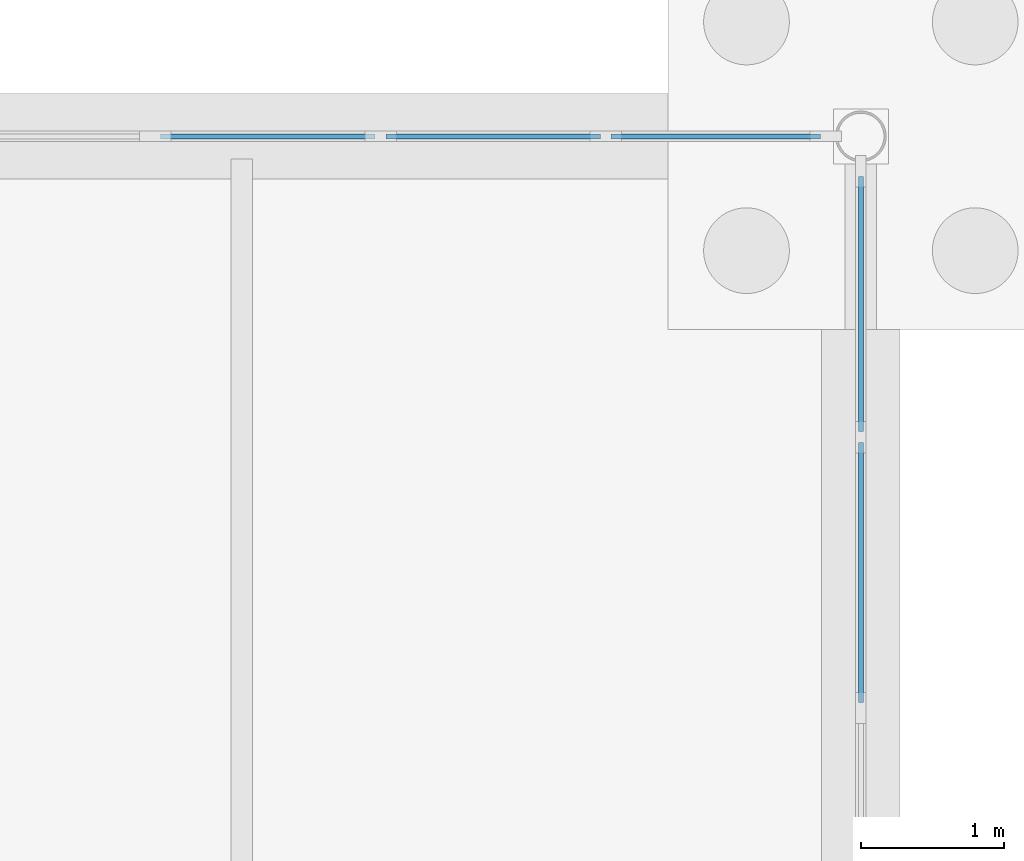
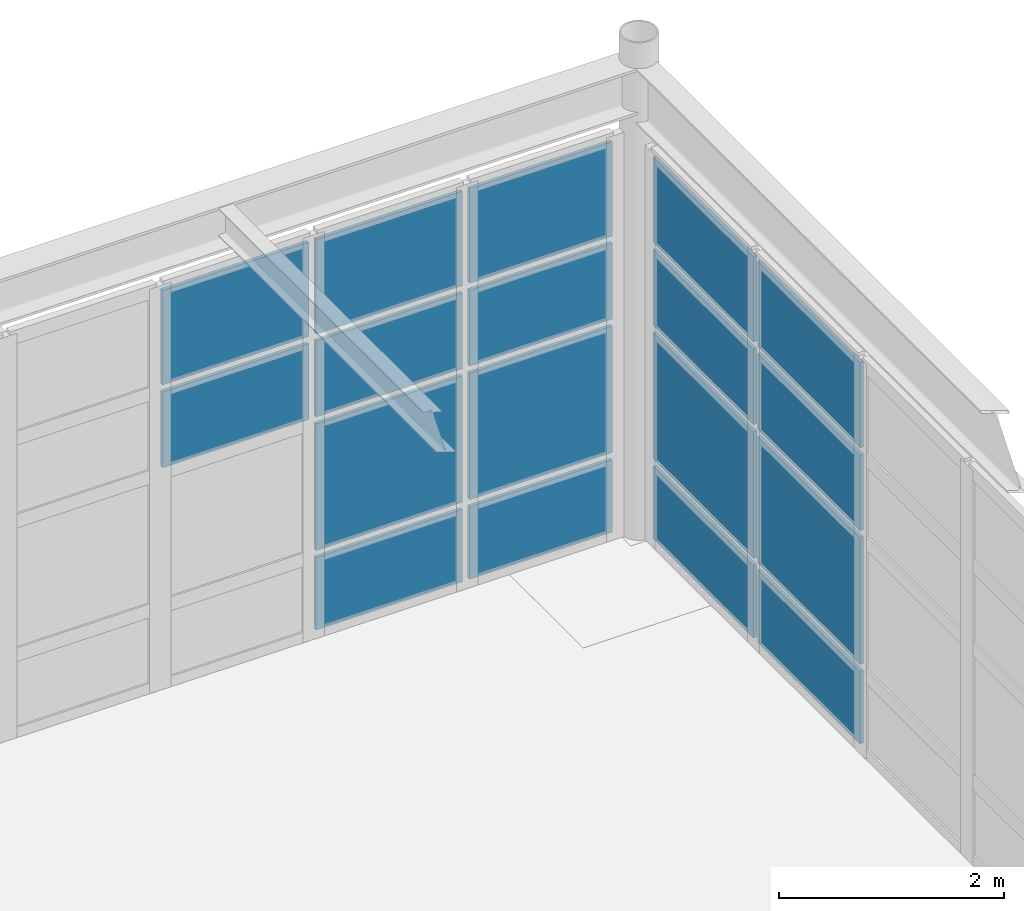
# One storey, part 99 of 145: 18 plates, 2 elements without a shape of their own.
"""IFC4 building model written with IfcOpenShell, lengths in metres."""

from ifc_helpers import new_model, si_unit, direction, frame, origin, origin_2d, place, context, subcontext, project, spatial, rectangle, extrude, material, layer, layer_set, type_object, element, aggregate, save


model = new_model("IFC4")

# Units and contexts
model_context = context("Model", 3, precision=1e-05, world=origin(), true_north=direction((0.0, 1.0)))
body_context = subcontext(model_context, "Body", "Model", "MODEL_VIEW")
ifc_project = project(units=[si_unit("LENGTHUNIT", "METRE"), si_unit("AREAUNIT", "SQUARE_METRE"), si_unit("VOLUMEUNIT", "CUBIC_METRE"), si_unit("PLANEANGLEUNIT", "RADIAN"), si_unit("MASSUNIT", "GRAM", prefix="KILO"), si_unit("THERMODYNAMICTEMPERATUREUNIT", "KELVIN"), si_unit("POWERUNIT", "WATT")], contexts=[model_context])

# Site, building, storey
site_placement = place(None, origin())
site = spatial("IfcSite", under=ifc_project, at=site_placement, CompositionType="ELEMENT")
building_placement = place(site_placement, origin())
building = spatial("IfcBuilding", under=site, at=building_placement, Name="Korenveer Ferry Terminal", CompositionType="ELEMENT")
storey_placement = place(building_placement, origin())
storey = spatial("IfcBuildingStorey", under=building, at=storey_placement, Name="L00", CompositionType="ELEMENT", Elevation=0.0)

# Curtain wall, plates
ifc_material_1 = material(Name="Unitised bronze-and-glass curtain wall", Category="glass")
ifc_layer_1 = layer(ifc_material_1, 0.219970703125)
ifc_layer_set_1 = layer_set([ifc_layer_1], Name="Unitised bronze-and-glass curtain wall")
curtain_wall_type_1 = type_object("IfcCurtainWallType", Name="ENV-CW-17", PredefinedType="USERDEFINED", material=ifc_layer_set_1)
curtain_wall_1_placement = place(storey_placement, frame((123.179931640625, 116.0, 0.0)))
curtain_wall_1 = element("IfcCurtainWall", 1, at=curtain_wall_1_placement, inside=storey, type_object=curtain_wall_type_1, Name="Lancet curtain wall CWX-L00-X123-136-Y116-116", ObjectType="UNITISED CURTAIN WALL", PredefinedType="USERDEFINED")
ifc_material_2 = material(Name="Acoustic laminated marine glazing", Category="glass")
ifc_layer_2 = layer(ifc_material_2, 0.035888671875)
ifc_layer_set_2 = layer_set([ifc_layer_2], Name="Acoustic laminated marine glazing")
plate_type = type_object("IfcPlateType", Name="ENV-CWP-GLZ36", PredefinedType="CURTAIN_PANEL", material=ifc_layer_set_2)
plate_1_placement = place(storey_placement, frame((131.850830078125, 116.0, 2.3876953125), z_axis=(0.0, 0.0, 1.0), x_axis=(1.0, 0.0, 0.0)))
plate_1 = element("IfcPlate", 2, at=plate_1_placement, type_object=plate_type, Name="CW-17 panel 6.3", PredefinedType="CURTAIN_PANEL", context=body_context, shape_type="SweptSolid", body=[
    extrude(rectangle(XDim=1.50146484375, YDim=0.035888671875, at=origin_2d()), origin(), (0.0, 0.0, 1.0), 0.824951171875),
])
plate_2_placement = place(storey_placement, frame((131.850830078125, 116.0, 3.28759765625), z_axis=(0.0, 0.0, 1.0), x_axis=(1.0, 0.0, 0.0)))
plate_2 = element("IfcPlate", 3, at=plate_2_placement, type_object=plate_type, Name="CW-17 panel 6.4", PredefinedType="CURTAIN_PANEL", context=body_context, shape_type="SweptSolid", body=[
    extrude(rectangle(XDim=1.50146484375, YDim=0.035888671875, at=origin_2d()), origin(), (0.0, 0.0, 1.0), 1.027587890625),
])
plate_3_placement = place(storey_placement, frame((133.427490234375, 116.0, 0.074951171875), z_axis=(0.0, 0.0, 1.0), x_axis=(1.0, 0.0, 0.0)))
plate_3 = element("IfcPlate", 4, at=plate_3_placement, type_object=plate_type, Name="CW-17 panel 7.1", PredefinedType="CURTAIN_PANEL", context=body_context, shape_type="SweptSolid", body=[
    extrude(rectangle(XDim=1.50146484375, YDim=0.035888671875, at=origin_2d()), origin(), (0.0, 0.0, 1.0), 0.78759765625),
])
plate_4_placement = place(storey_placement, frame((133.427490234375, 116.0, 0.9375), z_axis=(0.0, 0.0, 1.0), x_axis=(1.0, 0.0, 0.0)))
plate_4 = element("IfcPlate", 5, at=plate_4_placement, type_object=plate_type, Name="CW-17 panel 7.2", PredefinedType="CURTAIN_PANEL", context=body_context, shape_type="SweptSolid", body=[
    extrude(rectangle(XDim=1.50146484375, YDim=0.035888671875, at=origin_2d()), origin(), (0.0, 0.0, 1.0), 1.375),
])
plate_5_placement = place(storey_placement, frame((133.427490234375, 116.0, 2.3876953125), z_axis=(0.0, 0.0, 1.0), x_axis=(1.0, 0.0, 0.0)))
plate_5 = element("IfcPlate", 6, at=plate_5_placement, type_object=plate_type, Name="CW-17 panel 7.3", PredefinedType="CURTAIN_PANEL", context=body_context, shape_type="SweptSolid", body=[
    extrude(rectangle(XDim=1.50146484375, YDim=0.035888671875, at=origin_2d()), origin(), (0.0, 0.0, 1.0), 0.824951171875),
])
plate_6_placement = place(storey_placement, frame((133.427490234375, 116.0, 3.28759765625), z_axis=(0.0, 0.0, 1.0), x_axis=(1.0, 0.0, 0.0)))
plate_6 = element("IfcPlate", 7, at=plate_6_placement, type_object=plate_type, Name="CW-17 panel 7.4", PredefinedType="CURTAIN_PANEL", context=body_context, shape_type="SweptSolid", body=[
    extrude(rectangle(XDim=1.50146484375, YDim=0.035888671875, at=origin_2d()), origin(), (0.0, 0.0, 1.0), 1.027587890625),
])
plate_7_placement = place(storey_placement, frame((134.985107421875, 116.0, 0.074951171875), z_axis=(0.0, 0.0, 1.0), x_axis=(1.0, 0.0, 0.0)))
plate_7 = element("IfcPlate", 8, at=plate_7_placement, type_object=plate_type, Name="CW-17 panel 8.1", PredefinedType="CURTAIN_PANEL", context=body_context, shape_type="SweptSolid", body=[
    extrude(rectangle(XDim=1.464111328125, YDim=0.035888671875, at=origin_2d()), origin(), (0.0, 0.0, 1.0), 0.78759765625),
])
plate_8_placement = place(storey_placement, frame((134.985107421875, 116.0, 0.9375), z_axis=(0.0, 0.0, 1.0), x_axis=(1.0, 0.0, 0.0)))
plate_8 = element("IfcPlate", 9, at=plate_8_placement, type_object=plate_type, Name="CW-17 panel 8.2", PredefinedType="CURTAIN_PANEL", context=body_context, shape_type="SweptSolid", body=[
    extrude(rectangle(XDim=1.464111328125, YDim=0.035888671875, at=origin_2d()), origin(), (0.0, 0.0, 1.0), 1.375),
])
plate_9_placement = place(storey_placement, frame((134.985107421875, 116.0, 2.3876953125), z_axis=(0.0, 0.0, 1.0), x_axis=(1.0, 0.0, 0.0)))
plate_9 = element("IfcPlate", 10, at=plate_9_placement, type_object=plate_type, Name="CW-17 panel 8.3", PredefinedType="CURTAIN_PANEL", context=body_context, shape_type="SweptSolid", body=[
    extrude(rectangle(XDim=1.464111328125, YDim=0.035888671875, at=origin_2d()), origin(), (0.0, 0.0, 1.0), 0.824951171875),
])
plate_10_placement = place(storey_placement, frame((134.985107421875, 116.0, 3.28759765625), z_axis=(0.0, 0.0, 1.0), x_axis=(1.0, 0.0, 0.0)))
plate_10 = element("IfcPlate", 11, at=plate_10_placement, type_object=plate_type, Name="CW-17 panel 8.4", PredefinedType="CURTAIN_PANEL", context=body_context, shape_type="SweptSolid", body=[
    extrude(rectangle(XDim=1.464111328125, YDim=0.035888671875, at=origin_2d()), origin(), (0.0, 0.0, 1.0), 1.027587890625),
])
aggregate(curtain_wall_1, [plate_1, plate_2, plate_3, plate_4, plate_5, plate_6, plate_7, plate_8, plate_9, plate_10])

ifc_layer_3 = layer(ifc_material_1, 0.219970703125)
ifc_layer_set_3 = layer_set([ifc_layer_3], Name="Unitised bronze-and-glass curtain wall")
curtain_wall_type_2 = type_object("IfcCurtainWallType", Name="ENV-CW-31", PredefinedType="USERDEFINED", material=ifc_layer_set_3)
curtain_wall_2_placement = place(storey_placement, frame((136.0, 115.792236328125, 0.0)))
curtain_wall_2 = element("IfcCurtainWall", 12, at=curtain_wall_2_placement, inside=storey, type_object=curtain_wall_type_2, Name="Lancet curtain wall CWX-L00-X136-136-Y108-116", ObjectType="UNITISED CURTAIN WALL", PredefinedType="USERDEFINED")
plate_11_placement = place(storey_placement, frame((136.0, 114.825439453125, 0.074951171875), z_axis=(0.0, 0.0, 1.0), x_axis=(0.0, -1.0, 0.0)))
plate_11 = element("IfcPlate", 13, at=plate_11_placement, type_object=plate_type, Name="CW-31 panel 1.1", PredefinedType="CURTAIN_PANEL", context=body_context, shape_type="SweptSolid", body=[
    extrude(rectangle(XDim=1.78369140625, YDim=0.035888671875, at=origin_2d()), origin(), (0.0, 0.0, 1.0), 0.78759765625),
])
plate_12_placement = place(storey_placement, frame((136.0, 114.825439453125, 0.9375), z_axis=(0.0, 0.0, 1.0), x_axis=(0.0, -1.0, 0.0)))
plate_12 = element("IfcPlate", 14, at=plate_12_placement, type_object=plate_type, Name="CW-31 panel 1.2", PredefinedType="CURTAIN_PANEL", context=body_context, shape_type="SweptSolid", body=[
    extrude(rectangle(XDim=1.78369140625, YDim=0.035888671875, at=origin_2d()), origin(), (0.0, 0.0, 1.0), 1.375),
])
plate_13_placement = place(storey_placement, frame((136.0, 114.825439453125, 2.3876953125), z_axis=(0.0, 0.0, 1.0), x_axis=(0.0, -1.0, 0.0)))
plate_13 = element("IfcPlate", 15, at=plate_13_placement, type_object=plate_type, Name="CW-31 panel 1.3", PredefinedType="CURTAIN_PANEL", context=body_context, shape_type="SweptSolid", body=[
    extrude(rectangle(XDim=1.78369140625, YDim=0.035888671875, at=origin_2d()), origin(), (0.0, 0.0, 1.0), 0.824951171875),
])
plate_14_placement = place(storey_placement, frame((136.0, 114.825439453125, 3.28759765625), z_axis=(0.0, 0.0, 1.0), x_axis=(0.0, -1.0, 0.0)))
plate_14 = element("IfcPlate", 16, at=plate_14_placement, type_object=plate_type, Name="CW-31 panel 1.4", PredefinedType="CURTAIN_PANEL", context=body_context, shape_type="SweptSolid", body=[
    extrude(rectangle(XDim=1.78369140625, YDim=0.035888671875, at=origin_2d()), origin(), (0.0, 0.0, 1.0), 0.927490234375),
])
plate_15_placement = place(storey_placement, frame((136.0, 112.947998046875, 0.074951171875), z_axis=(0.0, 0.0, 1.0), x_axis=(0.0, -1.0, 0.0)))
plate_15 = element("IfcPlate", 17, at=plate_15_placement, type_object=plate_type, Name="CW-31 panel 2.1", PredefinedType="CURTAIN_PANEL", context=body_context, shape_type="SweptSolid", body=[
    extrude(rectangle(XDim=1.821044921875, YDim=0.035888671875, at=origin_2d()), origin(), (0.0, 0.0, 1.0), 0.78759765625),
])
plate_16_placement = place(storey_placement, frame((136.0, 112.947998046875, 0.9375), z_axis=(0.0, 0.0, 1.0), x_axis=(0.0, -1.0, 0.0)))
plate_16 = element("IfcPlate", 18, at=plate_16_placement, type_object=plate_type, Name="CW-31 panel 2.2", PredefinedType="CURTAIN_PANEL", context=body_context, shape_type="SweptSolid", body=[
    extrude(rectangle(XDim=1.821044921875, YDim=0.035888671875, at=origin_2d()), origin(), (0.0, 0.0, 1.0), 1.375),
])
plate_17_placement = place(storey_placement, frame((136.0, 112.947998046875, 2.3876953125), z_axis=(0.0, 0.0, 1.0), x_axis=(0.0, -1.0, 0.0)))
plate_17 = element("IfcPlate", 19, at=plate_17_placement, type_object=plate_type, Name="CW-31 panel 2.3", PredefinedType="CURTAIN_PANEL", context=body_context, shape_type="SweptSolid", body=[
    extrude(rectangle(XDim=1.821044921875, YDim=0.035888671875, at=origin_2d()), origin(), (0.0, 0.0, 1.0), 0.824951171875),
])
plate_18_placement = place(storey_placement, frame((136.0, 112.947998046875, 3.28759765625), z_axis=(0.0, 0.0, 1.0), x_axis=(0.0, -1.0, 0.0)))
plate_18 = element("IfcPlate", 20, at=plate_18_placement, type_object=plate_type, Name="CW-31 panel 2.4", PredefinedType="CURTAIN_PANEL", context=body_context, shape_type="SweptSolid", body=[
    extrude(rectangle(XDim=1.821044921875, YDim=0.035888671875, at=origin_2d()), origin(), (0.0, 0.0, 1.0), 0.927490234375),
])
aggregate(curtain_wall_2, [plate_11, plate_12, plate_13, plate_14, plate_15, plate_16, plate_17, plate_18])

save(model, "model.ifc")
